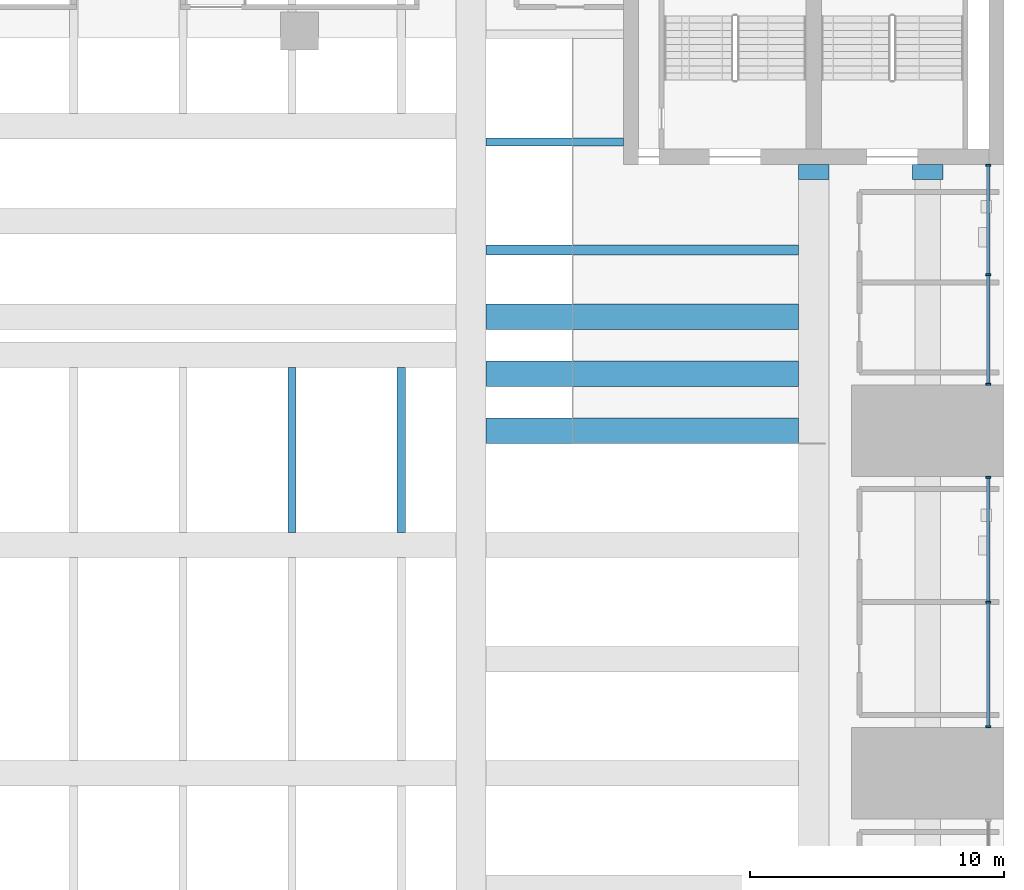
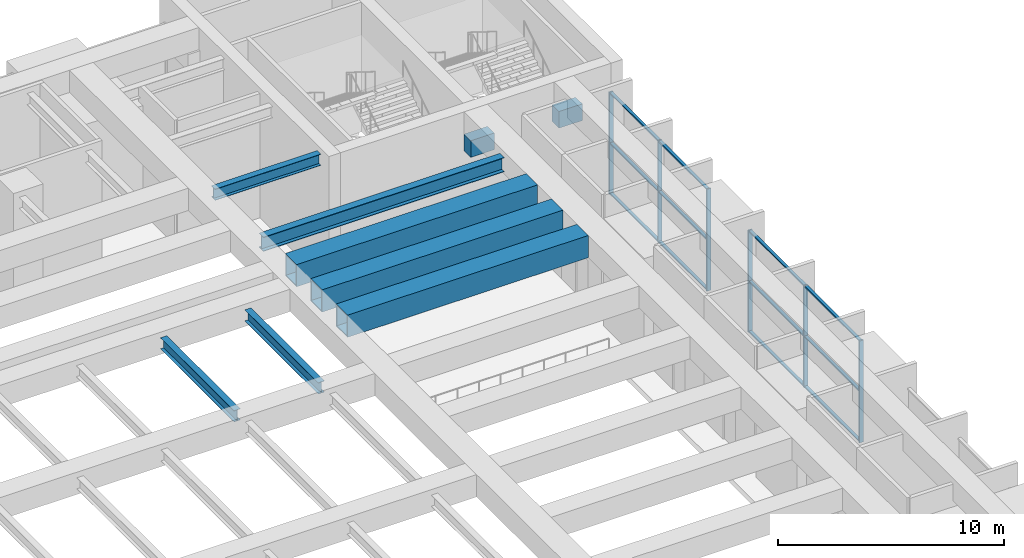
# One storey, part 18 of 45: 23 members, 4 beams, 2 elements without a shape of their own.
"""IFC4 building model written with IfcOpenShell, lengths in metres."""

from ifc_helpers import new_model, si_unit, direction, frame, origin, origin_2d, place, context, subcontext, project, spatial, rectangle, hollow_rectangle, i_section, extrude, material, layer, layer_set, material_profile, profile_set, type_object, element, aggregate, save


model = new_model("IFC4")

# Units and contexts
model_context = context("Model", 3, precision=1e-05, world=origin(), true_north=direction((0.0, 1.0)))
body_context = subcontext(model_context, "Body", "Model", "MODEL_VIEW")
ifc_project = project(units=[si_unit("LENGTHUNIT", "METRE"), si_unit("AREAUNIT", "SQUARE_METRE"), si_unit("VOLUMEUNIT", "CUBIC_METRE"), si_unit("PLANEANGLEUNIT", "RADIAN"), si_unit("MASSUNIT", "GRAM", prefix="KILO")], contexts=[model_context])

# Site, building, storey
site_placement = place(None, origin())
site = spatial("IfcSite", under=ifc_project, at=site_placement, CompositionType="ELEMENT")
building_placement = place(site_placement, origin())
building = spatial("IfcBuilding", under=site, at=building_placement, Name="Corbelhall Arena Tower", CompositionType="ELEMENT")
storey_placement = place(building_placement, frame((0.0, 0.0, 37.0)))
storey = spatial("IfcBuildingStorey", under=building, at=storey_placement, Name="L05", CompositionType="ELEMENT", Elevation=37.0)

# Curtain wall, members
ifc_material_1 = material(Name="Aluminium black anodised", Category="aluminium")
ifc_layer = layer(ifc_material_1, 0.239990234375)
ifc_layer_set = layer_set([ifc_layer], Name="EV-CW4 Arena concourse glazing")
curtain_wall_type = type_object("IfcCurtainWallType", Name="EV-CW4 Arena concourse glazing", PredefinedType="NOTDEFINED", material=ifc_layer_set)
curtain_wall_1_placement = place(storey_placement, origin())
curtain_wall_1 = element("IfcCurtainWall", 1, at=curtain_wall_1_placement, inside=storey, type_object=curtain_wall_type, Name="Curtain wall CW4", PredefinedType="NOTDEFINED")
ifc_material_profile_1 = material_profile(ifc_material_1, rectangle(XDim=0.199951171875, YDim=0.074951171875, at=origin_2d()))
ifc_profile_set_1 = profile_set([ifc_material_profile_1], Name="Aluminium black anodised")
member_type_1 = type_object("IfcMemberType", Name="EV-CW4-MULLION", PredefinedType="MULLION", material=ifc_profile_set_1)
member_1_placement = place(storey_placement, frame((47.3798828125, 1.83740234375, 0.0), z_axis=(0.0, 0.0, 1.0), x_axis=(-1.0, 0.0, 0.0)))
member_1 = element("IfcMember", 2, at=member_1_placement, type_object=member_type_1, Name="CW4 mullion 1", PredefinedType="MULLION", context=body_context, shape_type="SweptSolid", body=[
    extrude(rectangle(XDim=0.199951171875, YDim=0.074951171875, at=origin_2d()), origin(), (0.0, 0.0, 1.0), 5.5),
])
member_2_placement = place(storey_placement, frame((47.3798828125, 6.75, 0.0), z_axis=(0.0, 0.0, 1.0), x_axis=(-1.0, 0.0, 0.0)))
member_2 = element("IfcMember", 3, at=member_2_placement, type_object=member_type_1, Name="CW4 mullion 2", PredefinedType="MULLION", context=body_context, shape_type="SweptSolid", body=[
    extrude(rectangle(XDim=0.199951171875, YDim=0.074951171875, at=origin_2d()), origin(), (0.0, 0.0, 1.0), 5.5),
])
member_3_placement = place(storey_placement, frame((47.3798828125, 11.66259765625, 0.0), z_axis=(0.0, 0.0, 1.0), x_axis=(-1.0, 0.0, 0.0)))
member_3 = element("IfcMember", 4, at=member_3_placement, type_object=member_type_1, Name="CW4 mullion 3", PredefinedType="MULLION", context=body_context, shape_type="SweptSolid", body=[
    extrude(rectangle(XDim=0.199951171875, YDim=0.074951171875, at=origin_2d()), origin(), (0.0, 0.0, 1.0), 5.5),
])

curtain_wall_2_placement = place(storey_placement, origin())
curtain_wall_2 = element("IfcCurtainWall", 5, at=curtain_wall_2_placement, inside=storey, type_object=curtain_wall_type, Name="Curtain wall CW4B", PredefinedType="NOTDEFINED")
member_4_placement = place(storey_placement, frame((47.3798828125, 15.33740234375, 0.0), z_axis=(0.0, 0.0, 1.0), x_axis=(-1.0, 0.0, 0.0)))
member_4 = element("IfcMember", 6, at=member_4_placement, type_object=member_type_1, Name="CW4B mullion 1", PredefinedType="MULLION", context=body_context, shape_type="SweptSolid", body=[
    extrude(rectangle(XDim=0.199951171875, YDim=0.074951171875, at=origin_2d()), origin(), (0.0, 0.0, 1.0), 5.5),
])
member_5_placement = place(storey_placement, frame((47.3798828125, 19.64990234375, 0.0), z_axis=(0.0, 0.0, 1.0), x_axis=(-1.0, 0.0, 0.0)))
member_5 = element("IfcMember", 7, at=member_5_placement, type_object=member_type_1, Name="CW4B mullion 2", PredefinedType="MULLION", context=body_context, shape_type="SweptSolid", body=[
    extrude(rectangle(XDim=0.199951171875, YDim=0.074951171875, at=origin_2d()), origin(), (0.0, 0.0, 1.0), 5.5),
])
member_6_placement = place(storey_placement, frame((47.3798828125, 23.96240234375, 0.0), z_axis=(0.0, 0.0, 1.0), x_axis=(-1.0, 0.0, 0.0)))
member_6 = element("IfcMember", 8, at=member_6_placement, type_object=member_type_1, Name="CW4B mullion 3", PredefinedType="MULLION", context=body_context, shape_type="SweptSolid", body=[
    extrude(rectangle(XDim=0.199951171875, YDim=0.074951171875, at=origin_2d()), origin(), (0.0, 0.0, 1.0), 5.5),
])

# Member
ifc_material_profile_2 = material_profile(ifc_material_1, rectangle(XDim=0.14990234375, YDim=0.074951171875, at=origin_2d()))
ifc_profile_set_2 = profile_set([ifc_material_profile_2], Name="Aluminium black anodised")
member_type_2 = type_object("IfcMemberType", Name="EV-CW4-TRANSOM", PredefinedType="USERDEFINED", material=ifc_profile_set_2)
member_7_placement = place(storey_placement, frame((47.3798828125, 1.875, 0.03759765625), z_axis=(0.0, 1.0, 0.0), x_axis=(-1.0, 0.0, 0.0)))
member_7 = element("IfcMember", 9, at=member_7_placement, type_object=member_type_2, Name="CW4 transom 1.1", ObjectType="transom", PredefinedType="USERDEFINED", context=body_context, shape_type="SweptSolid", body=[
    extrude(rectangle(XDim=0.14990234375, YDim=0.074951171875, at=origin_2d()), origin(), (0.0, 0.0, 1.0), 4.83740234375),
])

member_8_placement = place(storey_placement, frame((47.3798828125, 1.875, 2.75), z_axis=(0.0, 1.0, 0.0), x_axis=(-1.0, 0.0, 0.0)))
member_8 = element("IfcMember", 10, at=member_8_placement, type_object=member_type_2, Name="CW4 transom 1.2", ObjectType="transom", PredefinedType="USERDEFINED", context=body_context, shape_type="SweptSolid", body=[
    extrude(rectangle(XDim=0.14990234375, YDim=0.074951171875, at=origin_2d()), origin(), (0.0, 0.0, 1.0), 4.83740234375),
])

member_9_placement = place(storey_placement, frame((47.3798828125, 1.875, 5.46240234375), z_axis=(0.0, 1.0, 0.0), x_axis=(-1.0, 0.0, 0.0)))
member_9 = element("IfcMember", 11, at=member_9_placement, type_object=member_type_2, Name="CW4 transom 1.3", ObjectType="transom", PredefinedType="USERDEFINED", context=body_context, shape_type="SweptSolid", body=[
    extrude(rectangle(XDim=0.14990234375, YDim=0.074951171875, at=origin_2d()), origin(), (0.0, 0.0, 1.0), 4.83740234375),
])

member_10_placement = place(storey_placement, frame((47.3798828125, 6.78759765625, 0.03759765625), z_axis=(0.0, 1.0, 0.0), x_axis=(-1.0, 0.0, 0.0)))
member_10 = element("IfcMember", 12, at=member_10_placement, type_object=member_type_2, Name="CW4 transom 2.1", ObjectType="transom", PredefinedType="USERDEFINED", context=body_context, shape_type="SweptSolid", body=[
    extrude(rectangle(XDim=0.14990234375, YDim=0.074951171875, at=origin_2d()), origin(), (0.0, 0.0, 1.0), 4.83740234375),
])

member_11_placement = place(storey_placement, frame((47.3798828125, 6.78759765625, 2.75), z_axis=(0.0, 1.0, 0.0), x_axis=(-1.0, 0.0, 0.0)))
member_11 = element("IfcMember", 13, at=member_11_placement, type_object=member_type_2, Name="CW4 transom 2.2", ObjectType="transom", PredefinedType="USERDEFINED", context=body_context, shape_type="SweptSolid", body=[
    extrude(rectangle(XDim=0.14990234375, YDim=0.074951171875, at=origin_2d()), origin(), (0.0, 0.0, 1.0), 4.83740234375),
])

member_12_placement = place(storey_placement, frame((47.3798828125, 6.78759765625, 5.46240234375), z_axis=(0.0, 1.0, 0.0), x_axis=(-1.0, 0.0, 0.0)))
member_12 = element("IfcMember", 14, at=member_12_placement, type_object=member_type_2, Name="CW4 transom 2.3", ObjectType="transom", PredefinedType="USERDEFINED", context=body_context, shape_type="SweptSolid", body=[
    extrude(rectangle(XDim=0.14990234375, YDim=0.074951171875, at=origin_2d()), origin(), (0.0, 0.0, 1.0), 4.83740234375),
])

aggregate(curtain_wall_1, [member_1, member_2, member_3, member_7, member_8, member_9, member_10, member_11, member_12])

member_13_placement = place(storey_placement, frame((47.3798828125, 15.375, 0.03759765625), z_axis=(0.0, 1.0, 0.0), x_axis=(-1.0, 0.0, 0.0)))
member_13 = element("IfcMember", 15, at=member_13_placement, type_object=member_type_2, Name="CW4B transom 1.1", ObjectType="transom", PredefinedType="USERDEFINED", context=body_context, shape_type="SweptSolid", body=[
    extrude(rectangle(XDim=0.14990234375, YDim=0.074951171875, at=origin_2d()), origin(), (0.0, 0.0, 1.0), 4.237548828125),
])

member_14_placement = place(storey_placement, frame((47.3798828125, 15.375, 2.75), z_axis=(0.0, 1.0, 0.0), x_axis=(-1.0, 0.0, 0.0)))
member_14 = element("IfcMember", 16, at=member_14_placement, type_object=member_type_2, Name="CW4B transom 1.2", ObjectType="transom", PredefinedType="USERDEFINED", context=body_context, shape_type="SweptSolid", body=[
    extrude(rectangle(XDim=0.14990234375, YDim=0.074951171875, at=origin_2d()), origin(), (0.0, 0.0, 1.0), 4.237548828125),
])

member_15_placement = place(storey_placement, frame((47.3798828125, 15.375, 5.46240234375), z_axis=(0.0, 1.0, 0.0), x_axis=(-1.0, 0.0, 0.0)))
member_15 = element("IfcMember", 17, at=member_15_placement, type_object=member_type_2, Name="CW4B transom 1.3", ObjectType="transom", PredefinedType="USERDEFINED", context=body_context, shape_type="SweptSolid", body=[
    extrude(rectangle(XDim=0.14990234375, YDim=0.074951171875, at=origin_2d()), origin(), (0.0, 0.0, 1.0), 4.237548828125),
])

member_16_placement = place(storey_placement, frame((47.3798828125, 19.6875, 0.03759765625), z_axis=(0.0, 1.0, 0.0), x_axis=(-1.0, 0.0, 0.0)))
member_16 = element("IfcMember", 18, at=member_16_placement, type_object=member_type_2, Name="CW4B transom 2.1", ObjectType="transom", PredefinedType="USERDEFINED", context=body_context, shape_type="SweptSolid", body=[
    extrude(rectangle(XDim=0.14990234375, YDim=0.074951171875, at=origin_2d()), origin(), (0.0, 0.0, 1.0), 4.237548828125),
])

member_17_placement = place(storey_placement, frame((47.3798828125, 19.6875, 2.75), z_axis=(0.0, 1.0, 0.0), x_axis=(-1.0, 0.0, 0.0)))
member_17 = element("IfcMember", 19, at=member_17_placement, type_object=member_type_2, Name="CW4B transom 2.2", ObjectType="transom", PredefinedType="USERDEFINED", context=body_context, shape_type="SweptSolid", body=[
    extrude(rectangle(XDim=0.14990234375, YDim=0.074951171875, at=origin_2d()), origin(), (0.0, 0.0, 1.0), 4.237548828125),
])

member_18_placement = place(storey_placement, frame((47.3798828125, 19.6875, 5.46240234375), z_axis=(0.0, 1.0, 0.0), x_axis=(-1.0, 0.0, 0.0)))
member_18 = element("IfcMember", 20, at=member_18_placement, type_object=member_type_2, Name="CW4B transom 2.3", ObjectType="transom", PredefinedType="USERDEFINED", context=body_context, shape_type="SweptSolid", body=[
    extrude(rectangle(XDim=0.14990234375, YDim=0.074951171875, at=origin_2d()), origin(), (0.0, 0.0, 1.0), 4.237548828125),
])

aggregate(curtain_wall_2, [member_4, member_5, member_6, member_13, member_14, member_15, member_16, member_17, member_18])

# Beams
ifc_material_2 = material(Name="Steel ASTM A992 Gr50", Category="steel")
ifc_material_profile_3 = material_profile(ifc_material_2, i_section(OverallWidth=0.323974609375, OverallDepth=0.611083984375, WebThickness=0.0126953125, FlangeThickness=0.01904296875, at=origin_2d()))
ifc_profile_set_3 = profile_set([ifc_material_profile_3], Name="Steel ASTM A992 Gr50")
beam_type_1 = type_object("IfcBeamType", Name="PO-BEAM-W24X104", PredefinedType="BEAM", material=ifc_profile_set_3)
for number, where, z_axis, x_axis, name in (
    (21, (19.949951171875, 9.5, 6.39453125), (0.0, 1.0, 0.0), (-1.0, 0.0, 0.0), "DECK BEAM BOT 35.5"),
    (22, (24.25, 9.5, 6.39453125), (0.0, 1.0, 0.0), (-1.0, 0.0, 0.0), "DECK BEAM BOT 35.6"),
):
    element("IfcBeam", number, at=place(storey_placement, frame(where, z_axis=z_axis, x_axis=x_axis)), inside=storey, type_object=beam_type_1, Name=name, PredefinedType="BEAM", context=body_context, shape_type="SweptSolid", body=[
        extrude(i_section(OverallWidth=0.323974609375, OverallDepth=0.611083984375, WebThickness=0.0126953125, FlangeThickness=0.01904296875, at=origin_2d()), origin(), (0.0, 0.0, 1.0), 6.5),
    ])
beam_1_placement = place(storey_placement, frame((27.60009765625, 24.875, 6.39453125), z_axis=(1.0, 0.0, 0.0), x_axis=(0.0, 1.0, 0.0)))
element("IfcBeam", 23, at=beam_1_placement, inside=storey, type_object=beam_type_1, Name="DECK BEAM BOT 41.2", PredefinedType="BEAM", context=body_context, shape_type="SweptSolid", body=[
    extrude(i_section(OverallWidth=0.323974609375, OverallDepth=0.611083984375, WebThickness=0.0126953125, FlangeThickness=0.01904296875, at=origin_2d()), origin(), (0.0, 0.0, 1.0), 5.39990234375),
])
ifc_material_profile_4 = material_profile(ifc_material_2, i_section(OverallWidth=0.381103515625, OverallDepth=0.77294921875, WebThickness=0.0166015625, FlangeThickness=0.027099609375, at=origin_2d()))
ifc_profile_set_4 = profile_set([ifc_material_profile_4], Name="Steel ASTM A992 Gr50")
beam_type_2 = type_object("IfcBeamType", Name="PO-BEAM-W30X173", PredefinedType="BEAM", material=ifc_profile_set_4)
beam_2_placement = place(storey_placement, frame((27.60009765625, 20.625, 6.3134765625), z_axis=(1.0, 0.0, 0.0), x_axis=(0.0, 1.0, 0.0)))
element("IfcBeam", 24, at=beam_2_placement, inside=storey, type_object=beam_type_2, Name="DECK BEAM BOT 41.1", PredefinedType="BEAM", context=body_context, shape_type="SweptSolid", body=[
    extrude(i_section(OverallWidth=0.381103515625, OverallDepth=0.77294921875, WebThickness=0.0166015625, FlangeThickness=0.027099609375, at=origin_2d()), origin(), (0.0, 0.0, 1.0), 12.2998046875),
])

# Members
ifc_material_3 = material(Name="Steel ASTM A572 Gr50", Category="steel")
ifc_material_profile_5 = material_profile(ifc_material_3, hollow_rectangle(XDim=1.0, YDim=1.199951171875, WallThickness=0.06005859375, at=origin_2d()))
ifc_profile_set_5 = profile_set([ifc_material_profile_5], Name="Steel ASTM A572 Gr50")
member_type_3 = type_object("IfcMemberType", Name="PO-CHORD-1200X1000X60", PredefinedType="CHORD", material=ifc_profile_set_5)
for number, where, z_axis, x_axis, name in (
    (25, (27.60009765625, 13.5, 6.39990234375), (1.0, 0.0, 0.0), (0.0, 1.0, 0.0), "TRUSS SEC-N13.50-3 BOT CHORD"),
    (26, (27.60009765625, 15.75, 6.39990234375), (1.0, 0.0, 0.0), (0.0, 1.0, 0.0), "TRUSS SEC-N15.75-3 BOT CHORD"),
    (27, (27.60009765625, 18.0, 6.39990234375), (1.0, 0.0, 0.0), (0.0, 1.0, 0.0), "TRUSS SEC-N18.00-3 BOT CHORD"),
):
    element("IfcMember", number, at=place(storey_placement, frame(where, z_axis=z_axis, x_axis=x_axis)), inside=storey, type_object=member_type_3, Name=name, PredefinedType="CHORD", context=body_context, shape_type="SweptSolid", body=[
        extrude(hollow_rectangle(XDim=1.0, YDim=1.199951171875, WallThickness=0.06005859375, at=origin_2d()), origin(), (0.0, 0.0, 1.0), 12.2998046875),
    ])
ifc_material_4 = material(Name="Concrete C80/95", Category="concrete")
ifc_material_profile_6 = material_profile(ifc_material_4, rectangle(XDim=1.199951171875, YDim=0.89990234375, at=origin_2d()))
ifc_profile_set_6 = profile_set([ifc_material_profile_6], Name="Concrete C80/95")
member_type_4 = type_object("IfcMemberType", Name="PO-CORBEL", PredefinedType="MEMBER", material=ifc_profile_set_6)
for number, where, z_axis, x_axis, name in (
    (28, (40.5, 24.0, 5.35009765625), (0.0, -1.0, 0.0), (1.0, 0.0, 0.0), "CORBEL NE PRI"),
    (29, (45.0, 24.0, 5.35009765625), (0.0, -1.0, 0.0), (1.0, 0.0, 0.0), "CORBEL NE EDGEEW"),
):
    element("IfcMember", number, at=place(storey_placement, frame(where, z_axis=z_axis, x_axis=x_axis)), inside=storey, type_object=member_type_4, Name=name, PredefinedType="MEMBER", context=body_context, shape_type="SweptSolid", body=[
        extrude(rectangle(XDim=1.199951171875, YDim=0.89990234375, at=origin_2d()), origin(), (0.0, 0.0, 1.0), 0.60009765625),
    ])

save(model, "model.ifc")
